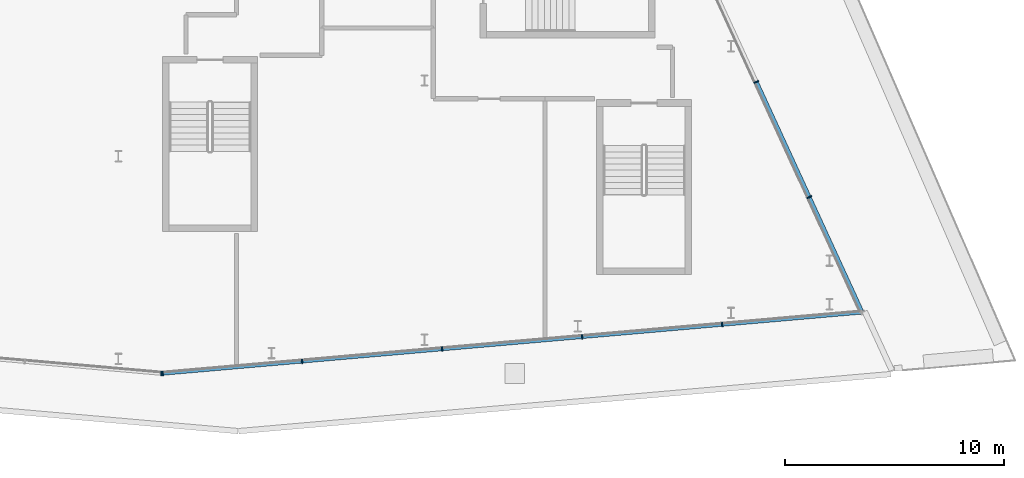
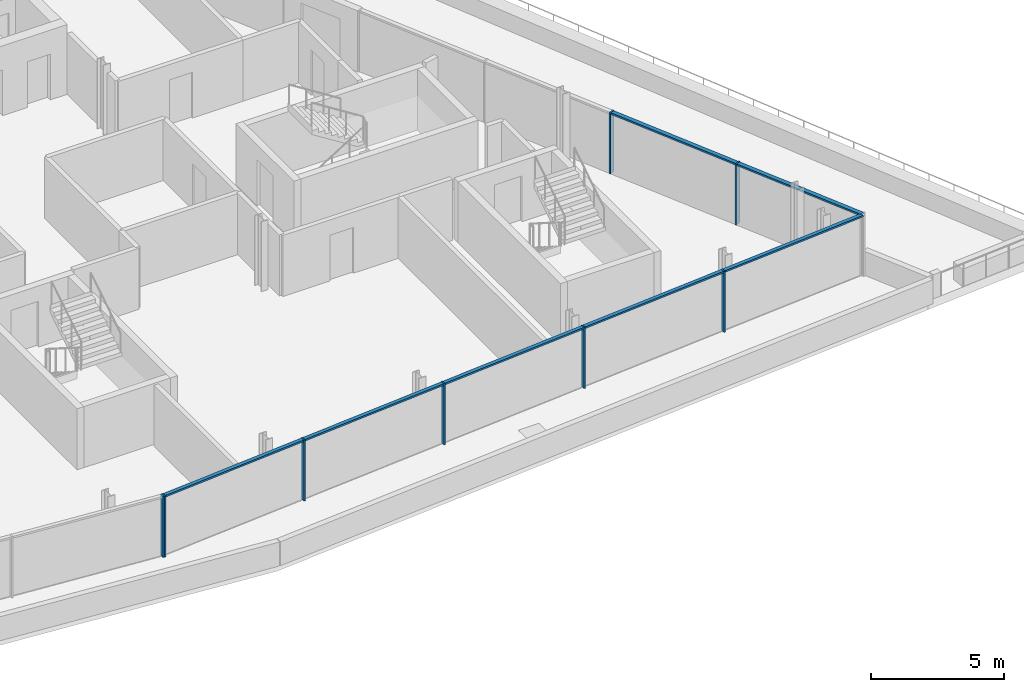
# One storey, part 5 of 17: 15 members, 3 elements without a shape of their own.
"""IFC4 building model written with IfcOpenShell, lengths in metres."""

from ifc_helpers import new_model, si_unit, direction, frame, origin, origin_2d, place, context, subcontext, project, spatial, rectangle, extrude, material, material_profile, profile_set, type_object, element, aggregate, save


model = new_model("IFC4")

# Units and contexts
model_context = context("Model", 3, precision=1e-05, world=origin(), true_north=direction((0.0, 1.0)))
body_context = subcontext(model_context, "Body", "Model", "MODEL_VIEW")
ifc_project = project(units=[si_unit("LENGTHUNIT", "METRE"), si_unit("AREAUNIT", "SQUARE_METRE"), si_unit("VOLUMEUNIT", "CUBIC_METRE"), si_unit("PLANEANGLEUNIT", "RADIAN"), si_unit("MASSUNIT", "GRAM", prefix="KILO")], contexts=[model_context])

# Site, building, storey
site_placement = place(None, origin())
site = spatial("IfcSite", under=ifc_project, at=site_placement, CompositionType="ELEMENT")
building_placement = place(site_placement, origin())
building = spatial("IfcBuilding", under=site, at=building_placement, Name="Wharfspan Tower", CompositionType="ELEMENT")
storey_placement = place(building_placement, frame((0.0, 0.0, 261.100098)))
storey = spatial("IfcBuildingStorey", under=building, at=storey_placement, Name="L66", CompositionType="ELEMENT", Elevation=261.100098)

# Curtain wall, member
ifc_material = material(Name="Aluminium 6063-T6", Category="aluminium")
curtain_wall_type_1 = type_object("IfcCurtainWallType", Name="CURTAIN WALL FACETED FRONT", PredefinedType="NOTDEFINED", material=ifc_material)
curtain_wall_1_placement = place(storey_placement, origin())
curtain_wall_1 = element("IfcCurtainWall", 1, at=curtain_wall_1_placement, inside=storey, type_object=curtain_wall_type_1, Name="Crown curtain wall S1", PredefinedType="NOTDEFINED")
ifc_material_profile_1 = material_profile(ifc_material, rectangle(XDim=0.199951, YDim=0.060059, at=origin_2d()))
ifc_profile_set_1 = profile_set([ifc_material_profile_1], Name="Aluminium 6063-T6")
member_type_1 = type_object("IfcMemberType", Name="MULLION FACETED FRONT 60x200", PredefinedType="MULLION", material=ifc_profile_set_1)
member_1_placement = place(storey_placement, frame((45.970215, 6.00293, 0.0), z_axis=(0.0, 0.0, 1.0), x_axis=(0.087156, 0.996198, 0.0)))
member_1 = element("IfcMember", 2, at=member_1_placement, type_object=member_type_1, Name="Crown curtain wall S1 mullion 5", PredefinedType="MULLION", context=body_context, shape_type="SweptSolid", body=[
    extrude(rectangle(XDim=0.199951, YDim=0.060059, at=origin_2d()), origin(), (0.0, 0.0, 1.0), 2.799805),
])
aggregate(curtain_wall_1, [member_1])

# Curtain wall, members
curtain_wall_2_placement = place(storey_placement, origin())
curtain_wall_2 = element("IfcCurtainWall", 3, at=curtain_wall_2_placement, inside=storey, type_object=curtain_wall_type_1, Name="Crown curtain wall S2", PredefinedType="NOTDEFINED")
member_2_placement = place(storey_placement, frame((46.029785, 6.00293, 0.0), z_axis=(0.0, 0.0, 1.0), x_axis=(-0.087156, 0.996198, 0.0)))
member_2 = element("IfcMember", 4, at=member_2_placement, type_object=member_type_1, Name="Crown curtain wall S2 mullion 1", PredefinedType="MULLION", context=body_context, shape_type="SweptSolid", body=[
    extrude(rectangle(XDim=0.199951, YDim=0.060059, at=origin_2d()), origin(), (0.0, 0.0, 1.0), 2.799805),
])
member_3_placement = place(storey_placement, frame((52.399902, 6.560303, 0.0), z_axis=(0.0, 0.0, 1.0), x_axis=(-0.087156, 0.996198, 0.0)))
member_3 = element("IfcMember", 5, at=member_3_placement, type_object=member_type_1, Name="Crown curtain wall S2 mullion 2", PredefinedType="MULLION", context=body_context, shape_type="SweptSolid", body=[
    extrude(rectangle(XDim=0.199951, YDim=0.060059, at=origin_2d()), origin(), (0.0, 0.0, 1.0), 2.799805),
])
member_4_placement = place(storey_placement, frame((58.800049, 7.120117, 0.0), z_axis=(0.0, 0.0, 1.0), x_axis=(-0.087156, 0.996198, 0.0)))
member_4 = element("IfcMember", 6, at=member_4_placement, type_object=member_type_1, Name="Crown curtain wall S2 mullion 3", PredefinedType="MULLION", context=body_context, shape_type="SweptSolid", body=[
    extrude(rectangle(XDim=0.199951, YDim=0.060059, at=origin_2d()), origin(), (0.0, 0.0, 1.0), 2.799805),
])
member_5_placement = place(storey_placement, frame((65.199951, 7.680176, 0.0), z_axis=(0.0, 0.0, 1.0), x_axis=(-0.087156, 0.996198, 0.0)))
member_5 = element("IfcMember", 7, at=member_5_placement, type_object=member_type_1, Name="Crown curtain wall S2 mullion 4", PredefinedType="MULLION", context=body_context, shape_type="SweptSolid", body=[
    extrude(rectangle(XDim=0.199951, YDim=0.060059, at=origin_2d()), origin(), (0.0, 0.0, 1.0), 2.799805),
])
member_6_placement = place(storey_placement, frame((71.600098, 8.23999, 0.0), z_axis=(0.0, 0.0, 1.0), x_axis=(-0.087156, 0.996198, 0.0)))
member_6 = element("IfcMember", 8, at=member_6_placement, type_object=member_type_1, Name="Crown curtain wall S2 mullion 5", PredefinedType="MULLION", context=body_context, shape_type="SweptSolid", body=[
    extrude(rectangle(XDim=0.199951, YDim=0.060059, at=origin_2d()), origin(), (0.0, 0.0, 1.0), 2.799805),
])

curtain_wall_type_2 = type_object("IfcCurtainWallType", Name="CURTAIN WALL PROW AND END", PredefinedType="NOTDEFINED", material=ifc_material)
curtain_wall_3_placement = place(storey_placement, origin())
curtain_wall_3 = element("IfcCurtainWall", 9, at=curtain_wall_3_placement, inside=storey, type_object=curtain_wall_type_2, Name="Crown curtain wall E", PredefinedType="NOTDEFINED")
ifc_material_profile_2 = material_profile(ifc_material, rectangle(XDim=0.23999, YDim=0.060059, at=origin_2d()))
ifc_profile_set_2 = profile_set([ifc_material_profile_2], Name="Aluminium 6063-T6")
member_type_2 = type_object("IfcMemberType", Name="MULLION PROW AND END 60x240", PredefinedType="MULLION", material=ifc_profile_set_2)
member_7_placement = place(storey_placement, frame((75.580566, 14.068848, 0.0), z_axis=(0.0, 0.0, 1.0), x_axis=(-0.908769, -0.417292, 0.0)))
member_7 = element("IfcMember", 10, at=member_7_placement, type_object=member_type_2, Name="Crown curtain wall E mullion 2", PredefinedType="MULLION", context=body_context, shape_type="SweptSolid", body=[
    extrude(rectangle(XDim=0.23999, YDim=0.060059, at=origin_2d()), origin(), (0.0, 0.0, 1.0), 2.799805),
])
member_8_placement = place(storey_placement, frame((73.161377, 19.337646, 0.0), z_axis=(0.0, 0.0, 1.0), x_axis=(-0.908769, -0.417292, 0.0)))
member_8 = element("IfcMember", 11, at=member_8_placement, type_object=member_type_2, Name="Crown curtain wall E mullion 3", PredefinedType="MULLION", context=body_context, shape_type="SweptSolid", body=[
    extrude(rectangle(XDim=0.23999, YDim=0.060059, at=origin_2d()), origin(), (0.0, 0.0, 1.0), 2.799805),
])

# Member
ifc_material_profile_3 = material_profile(ifc_material, rectangle(XDim=0.159912, YDim=0.080078, at=origin_2d()))
ifc_profile_set_3 = profile_set([ifc_material_profile_3], Name="Aluminium 6063-T6")
member_type_3 = type_object("IfcMemberType", Name="TRANSOM FACETED FRONT 80x160", PredefinedType="USERDEFINED", material=ifc_profile_set_3)
member_9_placement = place(storey_placement, frame((46.059814, 6.005615, 2.76001), z_axis=(0.996196, 0.087144, 0.0), x_axis=(-0.087144, 0.996196, 0.0)))
member_9 = element("IfcMember", 12, at=member_9_placement, type_object=member_type_3, Name="Crown curtain wall S2 transom 1", ObjectType="TRANSOM", PredefinedType="USERDEFINED", context=body_context, shape_type="SweptSolid", body=[
    extrude(rectangle(XDim=0.159912, YDim=0.080078, at=origin_2d()), origin(), (0.0, 0.0, 1.0), 6.334473),
])

member_10_placement = place(storey_placement, frame((52.429932, 6.562988, 2.76001), z_axis=(0.996195, 0.087156, 0.0), x_axis=(-0.087156, 0.996195, 0.0)))
member_10 = element("IfcMember", 13, at=member_10_placement, type_object=member_type_3, Name="Crown curtain wall S2 transom 2", ObjectType="TRANSOM", PredefinedType="USERDEFINED", context=body_context, shape_type="SweptSolid", body=[
    extrude(rectangle(XDim=0.159912, YDim=0.080078, at=origin_2d()), origin(), (0.0, 0.0, 1.0), 6.364258),
])

member_11_placement = place(storey_placement, frame((58.829834, 7.122803, 2.76001), z_axis=(0.996195, 0.087153, 0.0), x_axis=(-0.087153, 0.996195, 0.0)))
member_11 = element("IfcMember", 14, at=member_11_placement, type_object=member_type_3, Name="Crown curtain wall S2 transom 3", ObjectType="TRANSOM", PredefinedType="USERDEFINED", context=body_context, shape_type="SweptSolid", body=[
    extrude(rectangle(XDim=0.159912, YDim=0.080078, at=origin_2d()), origin(), (0.0, 0.0, 1.0), 6.364502),
])

member_12_placement = place(storey_placement, frame((65.22998, 7.682861, 2.76001), z_axis=(0.996195, 0.087156, 0.0), x_axis=(-0.087156, 0.996195, 0.0)))
member_12 = element("IfcMember", 15, at=member_12_placement, type_object=member_type_3, Name="Crown curtain wall S2 transom 4", ObjectType="TRANSOM", PredefinedType="USERDEFINED", context=body_context, shape_type="SweptSolid", body=[
    extrude(rectangle(XDim=0.159912, YDim=0.080078, at=origin_2d()), origin(), (0.0, 0.0, 1.0), 6.364258),
])

member_13_placement = place(storey_placement, frame((71.629883, 8.242676, 2.76001), z_axis=(0.996196, 0.087144, 0.0), x_axis=(-0.087144, 0.996196, 0.0)))
member_13 = element("IfcMember", 16, at=member_13_placement, type_object=member_type_3, Name="Crown curtain wall S2 transom 5", ObjectType="TRANSOM", PredefinedType="USERDEFINED", context=body_context, shape_type="SweptSolid", body=[
    extrude(rectangle(XDim=0.159912, YDim=0.080078, at=origin_2d()), origin(), (0.0, 0.0, 1.0), 6.334473),
])

aggregate(curtain_wall_2, [member_2, member_3, member_4, member_5, member_6, member_9, member_10, member_11, member_12, member_13])

ifc_material_profile_4 = material_profile(ifc_material, rectangle(XDim=0.179932, YDim=0.080078, at=origin_2d()))
ifc_profile_set_4 = profile_set([ifc_material_profile_4], Name="Aluminium 6063-T6")
member_type_4 = type_object("IfcMemberType", Name="TRANSOM PROW AND END 80x180", PredefinedType="USERDEFINED", material=ifc_profile_set_4)
member_14_placement = place(storey_placement, frame((77.974854, 8.854492, 2.76001), z_axis=(-0.417264, 0.908785, 0.0), x_axis=(-0.908785, -0.417264, 0.0)))
member_14 = element("IfcMember", 17, at=member_14_placement, type_object=member_type_4, Name="Crown curtain wall E transom 1", ObjectType="TRANSOM", PredefinedType="USERDEFINED", context=body_context, shape_type="SweptSolid", body=[
    extrude(rectangle(XDim=0.179932, YDim=0.080078, at=origin_2d()), origin(), (0.0, 0.0, 1.0), 5.70752),
])

member_15_placement = place(storey_placement, frame((75.568115, 14.095947, 2.76001), z_axis=(-0.417285, 0.908776, 0.0), x_axis=(-0.908776, -0.417285, 0.0)))
member_15 = element("IfcMember", 18, at=member_15_placement, type_object=member_type_4, Name="Crown curtain wall E transom 2", ObjectType="TRANSOM", PredefinedType="USERDEFINED", context=body_context, shape_type="SweptSolid", body=[
    extrude(rectangle(XDim=0.179932, YDim=0.080078, at=origin_2d()), origin(), (0.0, 0.0, 1.0), 5.737793),
])

aggregate(curtain_wall_3, [member_7, member_8, member_14, member_15])

save(model, "model.ifc")
